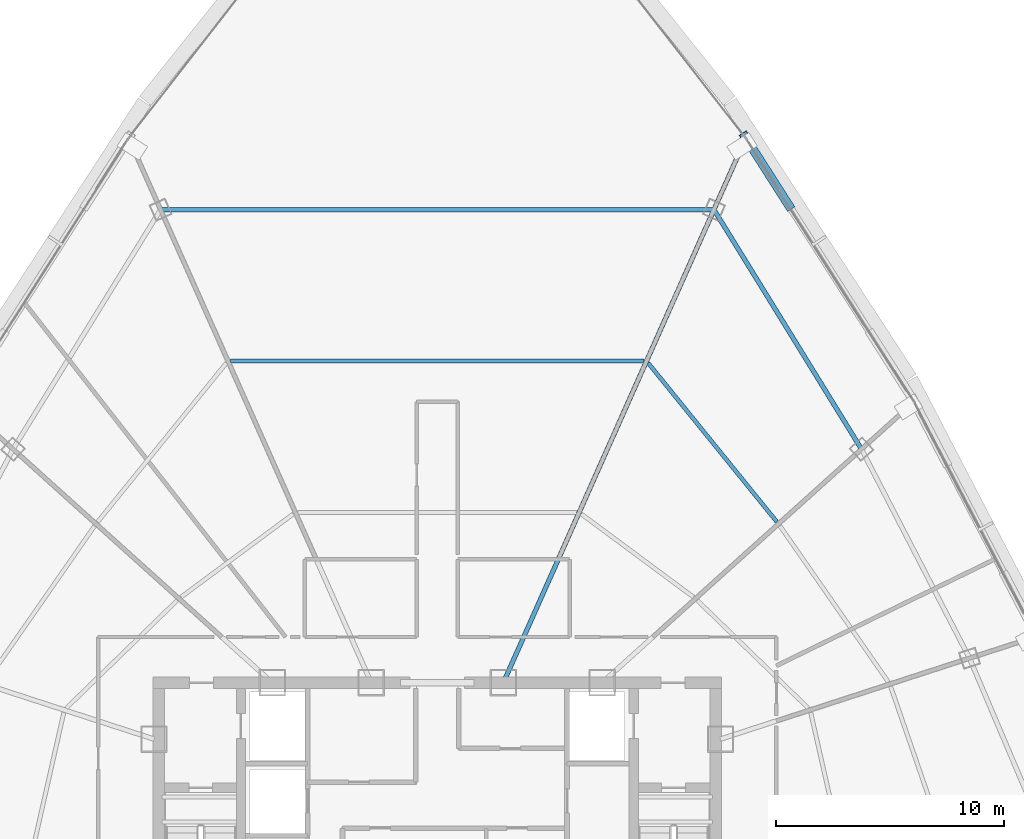
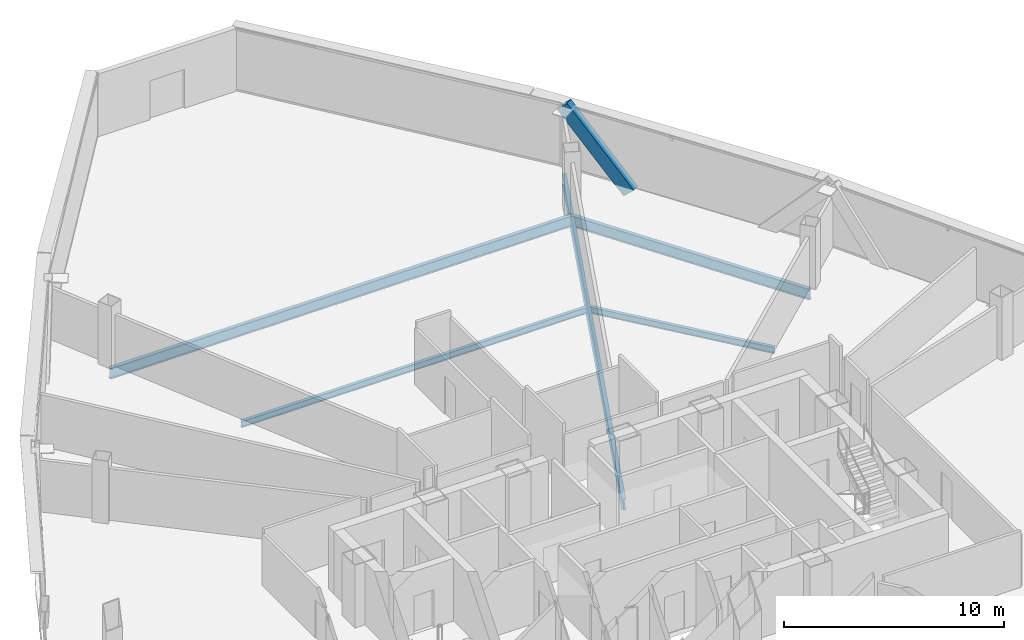
# One storey, part 23 of 39: 5 beams, 1 member.
"""IFC4 building model written with IfcOpenShell, lengths in metres."""

from ifc_helpers import new_model, si_unit, direction, frame, origin, origin_2d, place, context, subcontext, project, spatial, hollow_rectangle, i_section, extrude, source, transform, mapped, material, material_profile, profile_set, type_object, element, save


model = new_model("IFC4")

# Units and contexts
model_context = context("Model", 3, precision=1e-05, world=origin(), true_north=direction((0.0, 1.0)))
body_context = subcontext(model_context, "Body", "Model", "MODEL_VIEW")
ifc_project = project(units=[si_unit("LENGTHUNIT", "METRE"), si_unit("AREAUNIT", "SQUARE_METRE"), si_unit("VOLUMEUNIT", "CUBIC_METRE"), si_unit("PLANEANGLEUNIT", "RADIAN"), si_unit("MASSUNIT", "GRAM", prefix="KILO"), si_unit("THERMODYNAMICTEMPERATUREUNIT", "KELVIN"), si_unit("POWERUNIT", "WATT")], contexts=[model_context])

# Site, building, storey
site_placement = place(None, origin())
site = spatial("IfcSite", under=ifc_project, at=site_placement, CompositionType="ELEMENT")
building_placement = place(site_placement, origin())
building = spatial("IfcBuilding", under=site, at=building_placement, Name="Yunzhuo Pagoda Commons", CompositionType="ELEMENT")
storey_placement = place(building_placement, frame((0.0, 0.0, 285.02001953125)))
storey = spatial("IfcBuildingStorey", under=building, at=storey_placement, Name="L71", CompositionType="ELEMENT", Elevation=285.02001953125)

# Beams
ifc_material = material(Name="Structural steel Q355B", Category="steel")
ifc_material_profile_1 = material_profile(ifc_material, i_section(OverallWidth=0.199951171875, OverallDepth=0.60009765625, WebThickness=0.010986328125, FlangeThickness=0.01708984375, at=origin_2d()), Name="Structural steel Q355B")
ifc_profile_set_1 = profile_set([ifc_material_profile_1], Name="Structural steel Q355B")
beam_type_1 = type_object("IfcBeamType", Name="B-RG3 Beam HN 600x200x11x17", PredefinedType="BEAM", material=ifc_profile_set_1)
shared_shape_1 = source(origin(), body_context, "Body", "SweptSolid", [
    extrude(i_section(OverallWidth=0.199951171875, OverallDepth=0.60009765625, WebThickness=0.010986328125, FlangeThickness=0.01708984375, at=origin_2d()), origin(), (0.0, 0.0, 1.0), 25.947265625),
])
beam_1_placement = place(storey_placement, frame((61.44775390625, 63.904052734375, -0.56005859375), z_axis=(-0.406735516134, -0.913545959389, 0.0), x_axis=(0.913545959389, -0.406735516134, 0.0)))
element("IfcBeam", 1, at=beam_1_placement, inside=storey, type_object=beam_type_1, Name="L71 radial floor girder F2C4", PredefinedType="BEAM", context=body_context, shape_type="MappedRepresentation", body=[
    mapped(shared_shape_1, transform((0.0, 0.0, 0.0), scale=1.0)),
])
shared_shape_2 = source(origin(), body_context, "Body", "SweptSolid", [
    extrude(i_section(OverallWidth=0.199951171875, OverallDepth=0.60009765625, WebThickness=0.010986328125, FlangeThickness=0.01708984375, at=origin_2d()), origin(), (0.0, 0.0, 1.0), 12.315185546875),
])
beam_2_placement = place(storey_placement, frame((66.5732421875, 50.423583984375, -0.56005859375), z_axis=(-0.524469015689, 0.851429534126, 0.0), x_axis=(-0.851429534126, -0.524469015689, 0.0)))
element("IfcBeam", 2, at=beam_2_placement, inside=storey, type_object=beam_type_1, Name="L71 column-ring beam 7", PredefinedType="BEAM", context=body_context, shape_type="MappedRepresentation", body=[
    mapped(shared_shape_2, transform((0.0, 0.0, 0.0), scale=1.0)),
])
ifc_material_profile_2 = material_profile(ifc_material, i_section(OverallWidth=0.175048828125, OverallDepth=0.35009765625, WebThickness=0.007080078125, FlangeThickness=0.010986328125, at=origin_2d()), Name="Structural steel Q355B")
ifc_profile_set_2 = profile_set([ifc_material_profile_2], Name="Structural steel Q355B")
beam_type_2 = type_object("IfcBeamType", Name="B-JS2 Joist HN 350x175x7x11", PredefinedType="JOIST", material=ifc_profile_set_2)
shared_shape_3 = source(origin(), body_context, "Body", "SweptSolid", [
    extrude(i_section(OverallWidth=0.175048828125, OverallDepth=0.35009765625, WebThickness=0.007080078125, FlangeThickness=0.010986328125, at=origin_2d()), origin(), (0.0, 0.0, 1.0), 8.9462890625),
])
beam_3_placement = place(storey_placement, frame((62.867431640625, 47.2412109375, -0.43505859375), z_axis=(-0.629455685791, 0.777036382434, 0.0), x_axis=(-0.777036382434, -0.629455685791, 0.0)))
element("IfcBeam", 3, at=beam_3_placement, inside=storey, type_object=beam_type_2, Name="L71 composite ring joist 2.7", PredefinedType="JOIST", context=body_context, shape_type="MappedRepresentation", body=[
    mapped(shared_shape_3, transform((0.0, 0.0, 0.0), scale=1.0)),
])
shared_shape_4 = source(origin(), body_context, "Body", "SweptSolid", [
    extrude(i_section(OverallWidth=0.199951171875, OverallDepth=0.60009765625, WebThickness=0.010986328125, FlangeThickness=0.01708984375, at=origin_2d()), origin(), (0.0, 0.0, 1.0), 24.228515625),
])
beam_4_placement = place(storey_placement, frame((60.1142578125, 60.9091796875, -0.56005859375), z_axis=(-1.0, 0.0, 0.0), x_axis=(0.0, -1.0, 0.0)))
element("IfcBeam", 4, at=beam_4_placement, inside=storey, type_object=beam_type_1, Name="L71 column-ring beam 8", PredefinedType="BEAM", context=body_context, shape_type="MappedRepresentation", body=[
    mapped(shared_shape_4, transform((0.0, 0.0, 0.0), scale=1.0)),
])
shared_shape_5 = source(origin(), body_context, "Body", "SweptSolid", [
    extrude(i_section(OverallWidth=0.175048828125, OverallDepth=0.35009765625, WebThickness=0.007080078125, FlangeThickness=0.010986328125, at=origin_2d()), origin(), (0.0, 0.0, 1.0), 18.09765625),
])
beam_5_placement = place(storey_placement, frame((57.048828125, 54.2822265625, -0.43505859375), z_axis=(-1.0, 0.0, 0.0), x_axis=(0.0, -1.0, 0.0)))
element("IfcBeam", 5, at=beam_5_placement, inside=storey, type_object=beam_type_2, Name="L71 composite ring joist 2.8", PredefinedType="JOIST", context=body_context, shape_type="MappedRepresentation", body=[
    mapped(shared_shape_5, transform((0.0, 0.0, 0.0), scale=1.0)),
])

# Member
ifc_material_profile_3 = material_profile(ifc_material, hollow_rectangle(XDim=0.3798828125, YDim=0.719970703125, WallThickness=0.02001953125, at=origin_2d()), Name="Structural steel Q355B")
ifc_profile_set_3 = profile_set([ifc_material_profile_3], Name="Structural steel Q355B")
member_type = type_object("IfcMemberType", Name="M-DL3 Brace BOX 720x380x20", PredefinedType="BRACE", material=ifc_profile_set_3)
shared_shape_6 = source(origin(), body_context, "Body", "SweptSolid", [
    extrude(hollow_rectangle(XDim=0.3798828125, YDim=0.719970703125, WallThickness=0.02001953125, at=origin_2d()), origin(), (0.0, 0.0, 1.0), 5.063232421875),
])
member_placement = place(storey_placement, frame((63.353759765625, 61.159912109375, -0.260009765625), z_axis=(-0.363995553528, 0.569933427301, 0.736670296304), x_axis=(-0.842782513918, -0.538254246833, 0.0)))
element("IfcMember", 6, at=member_placement, inside=storey, type_object=member_type, Name="L71 facade diamond brace F2.3R", PredefinedType="BRACE", context=body_context, shape_type="MappedRepresentation", body=[
    mapped(shared_shape_6, transform((0.0, 0.0, 0.0), scale=1.0)),
])

save(model, "model.ifc")
